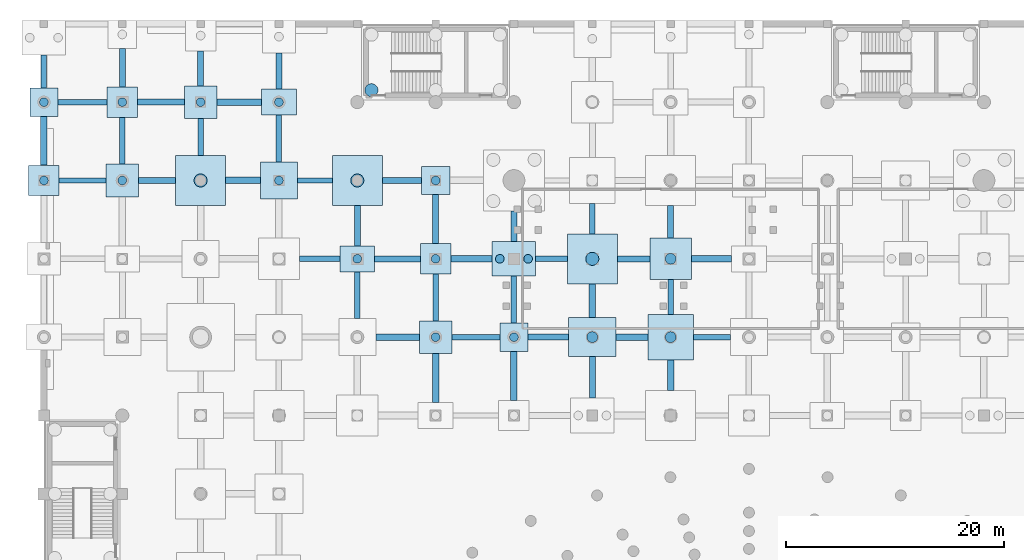
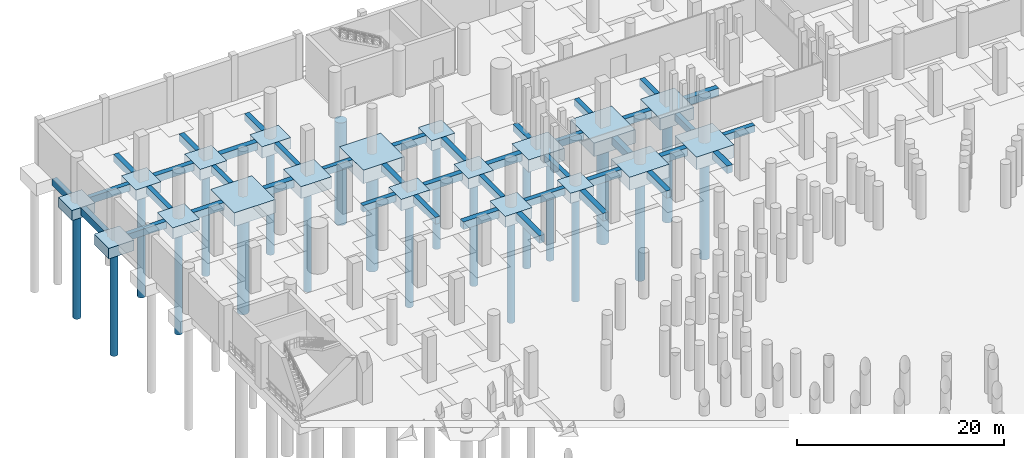
# One storey, part 8 of 37: 60 footings, 21 piles.
"""IFC4 building model written with IfcOpenShell, lengths in metres."""

from ifc_helpers import new_model, si_unit, direction, frame, origin, origin_2d, place, context, subcontext, project, spatial, rectangle, circle, extrude, material, material_profile, profile_set, type_object, element, save


model = new_model("IFC4")

# Units and contexts
model_context = context("Model", 3, precision=1e-05, world=origin(), true_north=direction((0.0, 1.0)))
body_context = subcontext(model_context, "Body", "Model", "MODEL_VIEW")
ifc_project = project(units=[si_unit("LENGTHUNIT", "METRE"), si_unit("AREAUNIT", "SQUARE_METRE"), si_unit("VOLUMEUNIT", "CUBIC_METRE"), si_unit("PLANEANGLEUNIT", "RADIAN"), si_unit("MASSUNIT", "GRAM", prefix="KILO")], contexts=[model_context])

# Site, building, storey
site_placement = place(None, origin())
site = spatial("IfcSite", under=ifc_project, at=site_placement, CompositionType="ELEMENT")
building_placement = place(site_placement, origin())
building = spatial("IfcBuilding", under=site, at=building_placement, Name="Qandorah Velis Arena", CompositionType="ELEMENT")
storey_placement = place(building_placement, frame((0.0, 0.0, -5.39990234375)))
storey = spatial("IfcBuildingStorey", under=building, at=storey_placement, Name="B1", CompositionType="ELEMENT", Elevation=-5.39990234375)

# Footings
ifc_material = material(Name="Concrete C40/50", Category="concrete")
footing_type_1 = type_object("IfcFootingType", Name="STR-CAP-PC10", PredefinedType="PILE_CAP", material=ifc_material)
for number, where, z_axis, x_axis, name in (
    (1, (0.0, 122.39990234375, -1.2001953125), (0.0, 0.0, 1.0), (1.0, 0.0, 0.0), "Pile cap CAP-B1-017"),
    (2, (36.0, 115.199951171875, -1.2001953125), (0.0, 0.0, 1.0), (1.0, 0.0, 0.0), "Pile cap CAP-B1-097"),
    (3, (43.199951171875, 100.800048828125, -1.2001953125), (0.0, 0.0, 1.0), (1.0, 0.0, 0.0), "Pile cap CAP-B1-107"),
):
    element("IfcFooting", number, at=place(storey_placement, frame(where, z_axis=z_axis, x_axis=x_axis)), inside=storey, type_object=footing_type_1, Name=name, PredefinedType="PILE_CAP", context=body_context, shape_type="SweptSolid", body=[
        extrude(rectangle(XDim=2.60009765625, YDim=2.60009765625, at=origin_2d()), origin(), (0.0, 0.0, 1.0), 1.199951171875),
    ])
footing_type_2 = type_object("IfcFootingType", Name="STR-CAP-PC14", PredefinedType="PILE_CAP", material=ifc_material)
footing_1_placement = place(storey_placement, frame((43.199951171875, 108.0, -1.4501953125), z_axis=(0.0, 0.0, 1.0), x_axis=(1.0, 0.0, 0.0)))
element("IfcFooting", 4, at=footing_1_placement, inside=storey, type_object=footing_type_2, Name="Pile cap CAP-B1-108", PredefinedType="PILE_CAP", context=body_context, shape_type="SweptSolid", body=[
    extrude(rectangle(XDim=4.0, YDim=3.199951171875, at=origin_2d()), origin(), (0.0, 0.0, 1.0), 1.449951171875),
])
footing_type_3 = type_object("IfcFootingType", Name="STR-CAP-PC15", PredefinedType="PILE_CAP", material=ifc_material)
footing_2_placement = place(storey_placement, frame((50.39990234375, 100.800048828125, -1.55029296875), z_axis=(0.0, 0.0, 1.0), x_axis=(1.0, 0.0, 0.0)))
element("IfcFooting", 5, at=footing_2_placement, inside=storey, type_object=footing_type_3, Name="Pile cap CAP-B1-119", PredefinedType="PILE_CAP", context=body_context, shape_type="SweptSolid", body=[
    extrude(rectangle(XDim=4.39990234375, YDim=3.60009765625, at=origin_2d()), origin(), (0.0, 0.0, 1.0), 1.550048828125),
])
footing_type_4 = type_object("IfcFootingType", Name="STR-CAP-PC3", PredefinedType="PILE_CAP", material=ifc_material)
for number, where, z_axis, x_axis, name in (
    (6, (14.39990234375, 115.199951171875, -1.60009765625), (0.0, 0.0, 1.0), (1.0, 0.0, 0.0), "Pile cap CAP-B1-054"),
    (7, (28.800048828125, 115.199951171875, -1.60009765625), (0.0, 0.0, 1.0), (1.0, 0.0, 0.0), "Pile cap CAP-B1-085"),
    (8, (50.39990234375, 108.0, -1.60009765625), (0.0, 0.0, 1.0), (1.0, 0.0, 0.0), "Pile cap CAP-B1-120"),
):
    element("IfcFooting", number, at=place(storey_placement, frame(where, z_axis=z_axis, x_axis=x_axis)), inside=storey, type_object=footing_type_4, Name=name, PredefinedType="PILE_CAP", context=body_context, shape_type="SweptSolid", body=[
        extrude(rectangle(XDim=4.60009765625, YDim=4.60009765625, at=origin_2d()), origin(), (0.0, 0.0, 1.0), 1.60009765625),
    ])
footing_type_5 = type_object("IfcFootingType", Name="STR-CAP-PC4", PredefinedType="PILE_CAP", material=ifc_material)
footing_3_placement = place(storey_placement, frame((57.60009765625, 100.800048828125, -1.5), z_axis=(0.0, 0.0, 1.0), x_axis=(1.0, 0.0, 0.0)))
element("IfcFooting", 9, at=footing_3_placement, inside=storey, type_object=footing_type_5, Name="Pile cap CAP-B1-131", PredefinedType="PILE_CAP", context=body_context, shape_type="SweptSolid", body=[
    extrude(rectangle(XDim=4.199951171875, YDim=4.199951171875, at=origin_2d()), origin(), (0.0, 0.0, 1.0), 1.5),
])
footing_type_6 = type_object("IfcFootingType", Name="STR-CAP-PC5", PredefinedType="PILE_CAP", material=ifc_material)
footing_4_placement = place(storey_placement, frame((57.60009765625, 108.0, -1.400146484375), z_axis=(0.0, 0.0, 1.0), x_axis=(1.0, 0.0, 0.0)))
element("IfcFooting", 10, at=footing_4_placement, inside=storey, type_object=footing_type_6, Name="Pile cap CAP-B1-132", PredefinedType="PILE_CAP", context=body_context, shape_type="SweptSolid", body=[
    extrude(rectangle(XDim=3.800048828125, YDim=3.800048828125, at=origin_2d()), origin(), (0.0, 0.0, 1.0), 1.39990234375),
])
footing_type_7 = type_object("IfcFootingType", Name="STR-CAP-PC6", PredefinedType="PILE_CAP", material=ifc_material)
footing_5_placement = place(storey_placement, frame((21.60009765625, 115.199951171875, -1.400146484375), z_axis=(0.0, 0.0, 1.0), x_axis=(1.0, 0.0, 0.0)))
element("IfcFooting", 11, at=footing_5_placement, inside=storey, type_object=footing_type_7, Name="Pile cap CAP-B1-073", PredefinedType="PILE_CAP", context=body_context, shape_type="SweptSolid", body=[
    extrude(rectangle(XDim=3.39990234375, YDim=3.39990234375, at=origin_2d()), origin(), (0.0, 0.0, 1.0), 1.39990234375),
])
footing_type_8 = type_object("IfcFootingType", Name="STR-CAP-PC7", PredefinedType="PILE_CAP", material=ifc_material)
for number, where, z_axis, x_axis, name in (
    (12, (21.60009765625, 122.39990234375, -1.35009765625), (0.0, 0.0, 1.0), (1.0, 0.0, 0.0), "Pile cap CAP-B1-074"),
    (13, (28.800048828125, 108.0, -1.35009765625), (0.0, 0.0, 1.0), (1.0, 0.0, 0.0), "Pile cap CAP-B1-084"),
):
    element("IfcFooting", number, at=place(storey_placement, frame(where, z_axis=z_axis, x_axis=x_axis)), inside=storey, type_object=footing_type_8, Name=name, PredefinedType="PILE_CAP", context=body_context, shape_type="SweptSolid", body=[
        extrude(rectangle(XDim=3.199951171875, YDim=2.39990234375, at=origin_2d()), origin(), (0.0, 0.0, 1.0), 1.35009765625),
    ])
footing_type_9 = type_object("IfcFootingType", Name="STR-CAP-PC8", PredefinedType="PILE_CAP", material=ifc_material)
for number, where, z_axis, x_axis, name in (
    (14, (7.199951171875, 115.199951171875, -1.30029296875), (0.0, 0.0, 1.0), (1.0, 0.0, 0.0), "Pile cap CAP-B1-035"),
    (15, (14.39990234375, 122.39990234375, -1.30029296875), (0.0, 0.0, 1.0), (1.0, 0.0, 0.0), "Pile cap CAP-B1-055"),
    (16, (36.0, 100.800048828125, -1.30029296875), (0.0, 0.0, 1.0), (1.0, 0.0, 0.0), "Pile cap CAP-B1-095"),
):
    element("IfcFooting", number, at=place(storey_placement, frame(where, z_axis=z_axis, x_axis=x_axis)), inside=storey, type_object=footing_type_9, Name=name, PredefinedType="PILE_CAP", context=body_context, shape_type="SweptSolid", body=[
        extrude(rectangle(XDim=3.0, YDim=3.0, at=origin_2d()), origin(), (0.0, 0.0, 1.0), 1.300048828125),
    ])
footing_type_10 = type_object("IfcFootingType", Name="STR-CAP-PC9", PredefinedType="PILE_CAP", material=ifc_material)
for number, where, z_axis, x_axis, name in (
    (17, (0.0, 115.199951171875, -1.25), (0.0, 0.0, 1.0), (1.0, 0.0, 0.0), "Pile cap CAP-B1-016"),
    (18, (7.199951171875, 122.39990234375, -1.25), (0.0, 0.0, 1.0), (1.0, 0.0, 0.0), "Pile cap CAP-B1-036"),
    (19, (36.0, 108.0, -1.25), (0.0, 0.0, 1.0), (1.0, 0.0, 0.0), "Pile cap CAP-B1-096"),
):
    element("IfcFooting", number, at=place(storey_placement, frame(where, z_axis=z_axis, x_axis=x_axis)), inside=storey, type_object=footing_type_10, Name=name, PredefinedType="PILE_CAP", context=body_context, shape_type="SweptSolid", body=[
        extrude(rectangle(XDim=2.800048828125, YDim=2.800048828125, at=origin_2d()), origin(), (0.0, 0.0, 1.0), 1.25),
    ])
ifc_material_profile_1 = material_profile(ifc_material, rectangle(XDim=0.60009765625, YDim=0.89990234375, at=origin_2d()), Name="GB1 600x900")
ifc_profile_set_1 = profile_set([ifc_material_profile_1], Name="Concrete C40/50")
footing_type_11 = type_object("IfcFootingType", Name="STR-GB-FB1", PredefinedType="FOOTING_BEAM", material=ifc_profile_set_1)
for number, where, z_axis, x_axis, name in (
    (20, (0.0, 116.60009765625, -0.4501953125), (0.0, 1.0, 0.0), (-1.0, 0.0, 0.0), "Ground tie beam GB-009"),
    (21, (36.0, 94.800048828125, -0.4501953125), (0.0, 1.0, 0.0), (-1.0, 0.0, 0.0), "Ground tie beam GB-066"),
    (22, (43.199951171875, 95.0, -0.4501953125), (0.0, 1.0, 0.0), (-1.0, 0.0, 0.0), "Ground tie beam GB-072"),
):
    element("IfcFooting", number, at=place(storey_placement, frame(where, z_axis=z_axis, x_axis=x_axis)), inside=storey, type_object=footing_type_11, Name=name, PredefinedType="FOOTING_BEAM", context=body_context, shape_type="SweptSolid", body=[
        extrude(rectangle(XDim=0.60009765625, YDim=0.89990234375, at=origin_2d()), origin(), (0.0, 0.0, 1.0), 4.5),
    ])
footing_6_placement = place(storey_placement, frame((50.39990234375, 102.60009765625, -0.4501953125), z_axis=(0.0, 1.0, 0.0), x_axis=(-1.0, 0.0, 0.0)))
element("IfcFooting", 23, at=footing_6_placement, inside=storey, type_object=footing_type_11, Name="Ground tie beam GB-081", PredefinedType="FOOTING_BEAM", context=body_context, shape_type="SweptSolid", body=[
    extrude(rectangle(XDim=0.60009765625, YDim=0.89990234375, at=origin_2d()), origin(), (0.0, 0.0, 1.0), 3.099853515625),
])
footing_7_placement = place(storey_placement, frame((57.60009765625, 95.89990234375, -0.4501953125), z_axis=(0.0, 1.0, 0.0), x_axis=(-1.0, 0.0, 0.0)))
element("IfcFooting", 24, at=footing_7_placement, inside=storey, type_object=footing_type_11, Name="Ground tie beam GB-090", PredefinedType="FOOTING_BEAM", context=body_context, shape_type="SweptSolid", body=[
    extrude(rectangle(XDim=0.60009765625, YDim=0.89990234375, at=origin_2d()), origin(), (0.0, 0.0, 1.0), 2.800048828125),
])
footing_8_placement = place(storey_placement, frame((30.5, 100.800048828125, -0.4501953125), z_axis=(1.0, 0.0, 0.0), x_axis=(0.0, 1.0, 0.0)))
element("IfcFooting", 25, at=footing_8_placement, inside=storey, type_object=footing_type_11, Name="Ground tie beam GB-450", PredefinedType="FOOTING_BEAM", context=body_context, shape_type="SweptSolid", body=[
    extrude(rectangle(XDim=0.60009765625, YDim=0.89990234375, at=origin_2d()), origin(), (0.0, 0.0, 1.0), 4.0),
])
footing_9_placement = place(storey_placement, frame((52.60009765625, 100.800048828125, -0.4501953125), z_axis=(1.0, 0.0, 0.0), x_axis=(0.0, 1.0, 0.0)))
element("IfcFooting", 26, at=footing_9_placement, inside=storey, type_object=footing_type_11, Name="Ground tie beam GB-453", PredefinedType="FOOTING_BEAM", context=body_context, shape_type="SweptSolid", body=[
    extrude(rectangle(XDim=0.60009765625, YDim=0.89990234375, at=origin_2d()), origin(), (0.0, 0.0, 1.0), 2.89990234375),
])
footing_10_placement = place(storey_placement, frame((37.39990234375, 108.0, -0.4501953125), z_axis=(1.0, 0.0, 0.0), x_axis=(0.0, 1.0, 0.0)))
element("IfcFooting", 27, at=footing_10_placement, inside=storey, type_object=footing_type_11, Name="Ground tie beam GB-474", PredefinedType="FOOTING_BEAM", context=body_context, shape_type="SweptSolid", body=[
    extrude(rectangle(XDim=0.60009765625, YDim=0.89990234375, at=origin_2d()), origin(), (0.0, 0.0, 1.0), 3.800048828125),
])
footing_11_placement = place(storey_placement, frame((59.5, 108.0, -0.4501953125), z_axis=(1.0, 0.0, 0.0), x_axis=(0.0, 1.0, 0.0)))
element("IfcFooting", 28, at=footing_11_placement, inside=storey, type_object=footing_type_11, Name="Ground tie beam GB-477", PredefinedType="FOOTING_BEAM", context=body_context, shape_type="SweptSolid", body=[
    extrude(rectangle(XDim=0.60009765625, YDim=0.89990234375, at=origin_2d()), origin(), (0.0, 0.0, 1.0), 3.699951171875),
])
footing_12_placement = place(storey_placement, frame((16.699951171875, 115.199951171875, -0.4501953125), z_axis=(1.0, 0.0, 0.0), x_axis=(0.0, 1.0, 0.0)))
element("IfcFooting", 29, at=footing_12_placement, inside=storey, type_object=footing_type_11, Name="Ground tie beam GB-492", PredefinedType="FOOTING_BEAM", context=body_context, shape_type="SweptSolid", body=[
    extrude(rectangle(XDim=0.60009765625, YDim=0.89990234375, at=origin_2d()), origin(), (0.0, 0.0, 1.0), 3.199951171875),
])
footing_13_placement = place(storey_placement, frame((15.89990234375, 122.39990234375, -0.4501953125), z_axis=(1.0, 0.0, 0.0), x_axis=(0.0, 1.0, 0.0)))
element("IfcFooting", 30, at=footing_13_placement, inside=storey, type_object=footing_type_11, Name="Ground tie beam GB-516", PredefinedType="FOOTING_BEAM", context=body_context, shape_type="SweptSolid", body=[
    extrude(rectangle(XDim=0.60009765625, YDim=0.89990234375, at=origin_2d()), origin(), (0.0, 0.0, 1.0), 4.10009765625),
])
ifc_material_profile_2 = material_profile(ifc_material, rectangle(XDim=0.5, YDim=0.800048828125, at=origin_2d()), Name="GB2 500x800")
ifc_profile_set_2 = profile_set([ifc_material_profile_2], Name="Concrete C40/50")
footing_type_12 = type_object("IfcFootingType", Name="STR-GB-FB2", PredefinedType="FOOTING_BEAM", material=ifc_profile_set_2)
footing_14_placement = place(storey_placement, frame((0.0, 123.699951171875, -0.400146484375), z_axis=(0.0, 1.0, 0.0), x_axis=(-1.0, 0.0, 0.0)))
element("IfcFooting", 31, at=footing_14_placement, inside=storey, type_object=footing_type_12, Name="Ground tie beam GB-010", PredefinedType="FOOTING_BEAM", context=body_context, shape_type="SweptSolid", body=[
    extrude(rectangle(XDim=0.5, YDim=0.800048828125, at=origin_2d()), origin(), (0.0, 0.0, 1.0), 3.02001953125),
])
footing_15_placement = place(storey_placement, frame((7.199951171875, 116.699951171875, -0.400146484375), z_axis=(0.0, 1.0, 0.0), x_axis=(-1.0, 0.0, 0.0)))
element("IfcFooting", 32, at=footing_15_placement, inside=storey, type_object=footing_type_12, Name="Ground tie beam GB-019", PredefinedType="FOOTING_BEAM", context=body_context, shape_type="SweptSolid", body=[
    extrude(rectangle(XDim=0.5, YDim=0.800048828125, at=origin_2d()), origin(), (0.0, 0.0, 1.0), 4.300048828125),
])
footing_16_placement = place(storey_placement, frame((14.39990234375, 117.5, -0.400146484375), z_axis=(0.0, 1.0, 0.0), x_axis=(-1.0, 0.0, 0.0)))
element("IfcFooting", 33, at=footing_16_placement, inside=storey, type_object=footing_type_12, Name="Ground tie beam GB-037", PredefinedType="FOOTING_BEAM", context=body_context, shape_type="SweptSolid", body=[
    extrude(rectangle(XDim=0.5, YDim=0.800048828125, at=origin_2d()), origin(), (0.0, 0.0, 1.0), 3.39990234375),
])
for number, where, z_axis, x_axis, name in (
    (34, (21.60009765625, 116.89990234375, -0.400146484375), (0.0, 1.0, 0.0), (-1.0, 0.0, 0.0), "Ground tie beam GB-055"),
    (35, (28.800048828125, 102.5, -0.400146484375), (0.0, 1.0, 0.0), (-1.0, 0.0, 0.0), "Ground tie beam GB-061"),
    (36, (36.0, 102.300048828125, -0.400146484375), (0.0, 1.0, 0.0), (-1.0, 0.0, 0.0), "Ground tie beam GB-067"),
):
    element("IfcFooting", number, at=place(storey_placement, frame(where, z_axis=z_axis, x_axis=x_axis)), inside=storey, type_object=footing_type_12, Name=name, PredefinedType="FOOTING_BEAM", context=body_context, shape_type="SweptSolid", body=[
        extrude(rectangle(XDim=0.5, YDim=0.800048828125, at=origin_2d()), origin(), (0.0, 0.0, 1.0), 4.300048828125),
    ])
footing_17_placement = place(storey_placement, frame((43.199951171875, 102.10009765625, -0.400146484375), z_axis=(0.0, 1.0, 0.0), x_axis=(-1.0, 0.0, 0.0)))
element("IfcFooting", 37, at=footing_17_placement, inside=storey, type_object=footing_type_12, Name="Ground tie beam GB-073", PredefinedType="FOOTING_BEAM", context=body_context, shape_type="SweptSolid", body=[
    extrude(rectangle(XDim=0.5, YDim=0.800048828125, at=origin_2d()), origin(), (0.0, 0.0, 1.0), 4.2998046875),
])
footing_18_placement = place(storey_placement, frame((50.39990234375, 110.300048828125, -0.400146484375), z_axis=(0.0, 1.0, 0.0), x_axis=(-1.0, 0.0, 0.0)))
element("IfcFooting", 38, at=footing_18_placement, inside=storey, type_object=footing_type_12, Name="Ground tie beam GB-082", PredefinedType="FOOTING_BEAM", context=body_context, shape_type="SweptSolid", body=[
    extrude(rectangle(XDim=0.5, YDim=0.800048828125, at=origin_2d()), origin(), (0.0, 0.0, 1.0), 2.800048828125),
])
footing_19_placement = place(storey_placement, frame((57.60009765625, 102.89990234375, -0.400146484375), z_axis=(0.0, 1.0, 0.0), x_axis=(-1.0, 0.0, 0.0)))
element("IfcFooting", 39, at=footing_19_placement, inside=storey, type_object=footing_type_12, Name="Ground tie beam GB-091", PredefinedType="FOOTING_BEAM", context=body_context, shape_type="SweptSolid", body=[
    extrude(rectangle(XDim=0.5, YDim=0.800048828125, at=origin_2d()), origin(), (0.0, 0.0, 1.0), 3.2001953125),
])
footing_20_placement = place(storey_placement, frame((37.5, 100.800048828125, -0.400146484375), z_axis=(1.0, 0.0, 0.0), x_axis=(0.0, 1.0, 0.0)))
element("IfcFooting", 40, at=footing_20_placement, inside=storey, type_object=footing_type_12, Name="Ground tie beam GB-451", PredefinedType="FOOTING_BEAM", context=body_context, shape_type="SweptSolid", body=[
    extrude(rectangle(XDim=0.5, YDim=0.800048828125, at=origin_2d()), origin(), (0.0, 0.0, 1.0), 4.39990234375),
])
footing_21_placement = place(storey_placement, frame((59.699951171875, 100.800048828125, -0.400146484375), z_axis=(1.0, 0.0, 0.0), x_axis=(0.0, 1.0, 0.0)))
element("IfcFooting", 41, at=footing_21_placement, inside=storey, type_object=footing_type_12, Name="Ground tie beam GB-454", PredefinedType="FOOTING_BEAM", context=body_context, shape_type="SweptSolid", body=[
    extrude(rectangle(XDim=0.5, YDim=0.800048828125, at=origin_2d()), origin(), (0.0, 0.0, 1.0), 3.400146484375),
])
footing_22_placement = place(storey_placement, frame((23.5, 108.0, -0.400146484375), z_axis=(1.0, 0.0, 0.0), x_axis=(0.0, 1.0, 0.0)))
element("IfcFooting", 42, at=footing_22_placement, inside=storey, type_object=footing_type_12, Name="Ground tie beam GB-472", PredefinedType="FOOTING_BEAM", context=body_context, shape_type="SweptSolid", body=[
    extrude(rectangle(XDim=0.5, YDim=0.800048828125, at=origin_2d()), origin(), (0.0, 0.0, 1.0), 3.699951171875),
])
footing_23_placement = place(storey_placement, frame((45.199951171875, 108.0, -0.400146484375), z_axis=(1.0, 0.0, 0.0), x_axis=(0.0, 1.0, 0.0)))
element("IfcFooting", 43, at=footing_23_placement, inside=storey, type_object=footing_type_12, Name="Ground tie beam GB-475", PredefinedType="FOOTING_BEAM", context=body_context, shape_type="SweptSolid", body=[
    extrude(rectangle(XDim=0.5, YDim=0.800048828125, at=origin_2d()), origin(), (0.0, 0.0, 1.0), 2.900146484375),
])
footing_24_placement = place(storey_placement, frame((1.39990234375, 115.199951171875, -0.400146484375), z_axis=(1.0, 0.0, 0.0), x_axis=(0.0, 1.0, 0.0)))
element("IfcFooting", 44, at=footing_24_placement, inside=storey, type_object=footing_type_12, Name="Ground tie beam GB-490", PredefinedType="FOOTING_BEAM", context=body_context, shape_type="SweptSolid", body=[
    extrude(rectangle(XDim=0.5, YDim=0.800048828125, at=origin_2d()), origin(), (0.0, 0.0, 1.0), 4.300048828125),
])
footing_25_placement = place(storey_placement, frame((23.300048828125, 115.199951171875, -0.400146484375), z_axis=(1.0, 0.0, 0.0), x_axis=(0.0, 1.0, 0.0)))
element("IfcFooting", 45, at=footing_25_placement, inside=storey, type_object=footing_type_12, Name="Ground tie beam GB-493", PredefinedType="FOOTING_BEAM", context=body_context, shape_type="SweptSolid", body=[
    extrude(rectangle(XDim=0.5, YDim=0.800048828125, at=origin_2d()), origin(), (0.0, 0.0, 1.0), 3.199951171875),
])
footing_26_placement = place(storey_placement, frame((1.300048828125, 122.39990234375, -0.400146484375), z_axis=(1.0, 0.0, 0.0), x_axis=(0.0, 1.0, 0.0)))
element("IfcFooting", 46, at=footing_26_placement, inside=storey, type_object=footing_type_12, Name="Ground tie beam GB-514", PredefinedType="FOOTING_BEAM", context=body_context, shape_type="SweptSolid", body=[
    extrude(rectangle(XDim=0.5, YDim=0.800048828125, at=origin_2d()), origin(), (0.0, 0.0, 1.0), 4.5),
])
ifc_material_profile_3 = material_profile(ifc_material, rectangle(XDim=0.550048828125, YDim=0.85009765625, at=origin_2d()), Name="GB3 550x850")
ifc_profile_set_3 = profile_set([ifc_material_profile_3], Name="Concrete C40/50")
footing_type_13 = type_object("IfcFootingType", Name="STR-GB-FB3", PredefinedType="FOOTING_BEAM", material=ifc_profile_set_3)
footing_27_placement = place(storey_placement, frame((7.199951171875, 123.800048828125, -0.425048828125), z_axis=(0.0, 1.0, 0.0), x_axis=(-1.0, 0.0, 0.0)))
element("IfcFooting", 47, at=footing_27_placement, inside=storey, type_object=footing_type_13, Name="Ground tie beam GB-020", PredefinedType="FOOTING_BEAM", context=body_context, shape_type="SweptSolid", body=[
    extrude(rectangle(XDim=0.550048828125, YDim=0.85009765625, at=origin_2d()), origin(), (0.0, 0.0, 1.0), 3.52001953125),
])
footing_28_placement = place(storey_placement, frame((14.39990234375, 123.89990234375, -0.425048828125), z_axis=(0.0, 1.0, 0.0), x_axis=(-1.0, 0.0, 0.0)))
element("IfcFooting", 48, at=footing_28_placement, inside=storey, type_object=footing_type_13, Name="Ground tie beam GB-038", PredefinedType="FOOTING_BEAM", context=body_context, shape_type="SweptSolid", body=[
    extrude(rectangle(XDim=0.550048828125, YDim=0.85009765625, at=origin_2d()), origin(), (0.0, 0.0, 1.0), 3.22021484375),
])
footing_29_placement = place(storey_placement, frame((21.60009765625, 123.60009765625, -0.425048828125), z_axis=(0.0, 1.0, 0.0), x_axis=(-1.0, 0.0, 0.0)))
element("IfcFooting", 49, at=footing_29_placement, inside=storey, type_object=footing_type_13, Name="Ground tie beam GB-056", PredefinedType="FOOTING_BEAM", context=body_context, shape_type="SweptSolid", body=[
    extrude(rectangle(XDim=0.550048828125, YDim=0.85009765625, at=origin_2d()), origin(), (0.0, 0.0, 1.0), 3.31982421875),
])
footing_30_placement = place(storey_placement, frame((28.800048828125, 109.199951171875, -0.425048828125), z_axis=(0.0, 1.0, 0.0), x_axis=(-1.0, 0.0, 0.0)))
element("IfcFooting", 50, at=footing_30_placement, inside=storey, type_object=footing_type_13, Name="Ground tie beam GB-062", PredefinedType="FOOTING_BEAM", context=body_context, shape_type="SweptSolid", body=[
    extrude(rectangle(XDim=0.550048828125, YDim=0.85009765625, at=origin_2d()), origin(), (0.0, 0.0, 1.0), 3.699951171875),
])
footing_31_placement = place(storey_placement, frame((36.0, 109.39990234375, -0.425048828125), z_axis=(0.0, 1.0, 0.0), x_axis=(-1.0, 0.0, 0.0)))
element("IfcFooting", 51, at=footing_31_placement, inside=storey, type_object=footing_type_13, Name="Ground tie beam GB-068", PredefinedType="FOOTING_BEAM", context=body_context, shape_type="SweptSolid", body=[
    extrude(rectangle(XDim=0.550048828125, YDim=0.85009765625, at=origin_2d()), origin(), (0.0, 0.0, 1.0), 4.5),
])
footing_32_placement = place(storey_placement, frame((43.199951171875, 109.60009765625, -0.425048828125), z_axis=(0.0, 1.0, 0.0), x_axis=(-1.0, 0.0, 0.0)))
element("IfcFooting", 52, at=footing_32_placement, inside=storey, type_object=footing_type_13, Name="Ground tie beam GB-074", PredefinedType="FOOTING_BEAM", context=body_context, shape_type="SweptSolid", body=[
    extrude(rectangle(XDim=0.550048828125, YDim=0.85009765625, at=origin_2d()), origin(), (0.0, 0.0, 1.0), 2.7998046875),
])
footing_33_placement = place(storey_placement, frame((50.39990234375, 95.199951171875, -0.425048828125), z_axis=(0.0, 1.0, 0.0), x_axis=(-1.0, 0.0, 0.0)))
element("IfcFooting", 53, at=footing_33_placement, inside=storey, type_object=footing_type_13, Name="Ground tie beam GB-080", PredefinedType="FOOTING_BEAM", context=body_context, shape_type="SweptSolid", body=[
    extrude(rectangle(XDim=0.550048828125, YDim=0.85009765625, at=origin_2d()), origin(), (0.0, 0.0, 1.0), 3.800048828125),
])
footing_34_placement = place(storey_placement, frame((57.60009765625, 109.89990234375, -0.425048828125), z_axis=(0.0, 1.0, 0.0), x_axis=(-1.0, 0.0, 0.0)))
element("IfcFooting", 54, at=footing_34_placement, inside=storey, type_object=footing_type_13, Name="Ground tie beam GB-092", PredefinedType="FOOTING_BEAM", context=body_context, shape_type="SweptSolid", body=[
    extrude(rectangle(XDim=0.550048828125, YDim=0.85009765625, at=origin_2d()), origin(), (0.0, 0.0, 1.0), 3.0),
])
footing_35_placement = place(storey_placement, frame((44.5, 100.800048828125, -0.425048828125), z_axis=(1.0, 0.0, 0.0), x_axis=(0.0, 1.0, 0.0)))
element("IfcFooting", 55, at=footing_35_placement, inside=storey, type_object=footing_type_13, Name="Ground tie beam GB-452", PredefinedType="FOOTING_BEAM", context=body_context, shape_type="SweptSolid", body=[
    extrude(rectangle(XDim=0.550048828125, YDim=0.85009765625, at=origin_2d()), origin(), (0.0, 0.0, 1.0), 3.699951171875),
])
footing_36_placement = place(storey_placement, frame((30.39990234375, 108.0, -0.425048828125), z_axis=(1.0, 0.0, 0.0), x_axis=(0.0, 1.0, 0.0)))
element("IfcFooting", 56, at=footing_36_placement, inside=storey, type_object=footing_type_13, Name="Ground tie beam GB-473", PredefinedType="FOOTING_BEAM", context=body_context, shape_type="SweptSolid", body=[
    extrude(rectangle(XDim=0.550048828125, YDim=0.85009765625, at=origin_2d()), origin(), (0.0, 0.0, 1.0), 4.2001953125),
])
footing_37_placement = place(storey_placement, frame((52.699951171875, 108.0, -0.425048828125), z_axis=(1.0, 0.0, 0.0), x_axis=(0.0, 1.0, 0.0)))
element("IfcFooting", 57, at=footing_37_placement, inside=storey, type_object=footing_type_13, Name="Ground tie beam GB-476", PredefinedType="FOOTING_BEAM", context=body_context, shape_type="SweptSolid", body=[
    extrude(rectangle(XDim=0.550048828125, YDim=0.85009765625, at=origin_2d()), origin(), (0.0, 0.0, 1.0), 3.0),
])
footing_38_placement = place(storey_placement, frame((8.699951171875, 115.199951171875, -0.425048828125), z_axis=(1.0, 0.0, 0.0), x_axis=(0.0, 1.0, 0.0)))
element("IfcFooting", 58, at=footing_38_placement, inside=storey, type_object=footing_type_13, Name="Ground tie beam GB-491", PredefinedType="FOOTING_BEAM", context=body_context, shape_type="SweptSolid", body=[
    extrude(rectangle(XDim=0.550048828125, YDim=0.85009765625, at=origin_2d()), origin(), (0.0, 0.0, 1.0), 3.400146484375),
])
footing_39_placement = place(storey_placement, frame((31.10009765625, 115.199951171875, -0.425048828125), z_axis=(1.0, 0.0, 0.0), x_axis=(0.0, 1.0, 0.0)))
element("IfcFooting", 59, at=footing_39_placement, inside=storey, type_object=footing_type_13, Name="Ground tie beam GB-494", PredefinedType="FOOTING_BEAM", context=body_context, shape_type="SweptSolid", body=[
    extrude(rectangle(XDim=0.550048828125, YDim=0.85009765625, at=origin_2d()), origin(), (0.0, 0.0, 1.0), 3.599853515625),
])
footing_40_placement = place(storey_placement, frame((8.60009765625, 122.39990234375, -0.425048828125), z_axis=(1.0, 0.0, 0.0), x_axis=(0.0, 1.0, 0.0)))
element("IfcFooting", 60, at=footing_40_placement, inside=storey, type_object=footing_type_13, Name="Ground tie beam GB-515", PredefinedType="FOOTING_BEAM", context=body_context, shape_type="SweptSolid", body=[
    extrude(rectangle(XDim=0.550048828125, YDim=0.85009765625, at=origin_2d()), origin(), (0.0, 0.0, 1.0), 4.2998046875),
])

# Piles
ifc_material_profile_4 = material_profile(ifc_material, circle(Radius=0.5, at=origin_2d()), Name="BORED PILE D1000")
ifc_profile_set_4 = profile_set([ifc_material_profile_4], Name="Concrete C40/50")
pile_type_1 = type_object("IfcPileType", Name="STR-PILE-BP1000", PredefinedType="BORED", material=ifc_profile_set_4)
pile_1_placement = place(storey_placement, frame((50.39990234375, 100.800048828125, -1.4501953125), z_axis=(0.0, 0.0, -1.0), x_axis=(1.0, 0.0, 0.0)))
element("IfcPile", 61, at=pile_1_placement, inside=storey, type_object=pile_type_1, Name="Bored pile PILE-CAP-B1-119-11", PredefinedType="BORED", context=body_context, shape_type="SweptSolid", body=[
    extrude(circle(Radius=0.5, at=origin_2d()), origin(), (0.0, 0.0, 1.0), 12.35009765625),
])
pile_2_placement = place(storey_placement, frame((57.60009765625, 100.800048828125, -1.400146484375), z_axis=(0.0, 0.0, -1.0), x_axis=(1.0, 0.0, 0.0)))
element("IfcPile", 62, at=pile_2_placement, inside=storey, type_object=pile_type_1, Name="Bored pile PILE-CAP-B1-131-11", PredefinedType="BORED", context=body_context, shape_type="SweptSolid", body=[
    extrude(circle(Radius=0.5, at=origin_2d()), origin(), (0.0, 0.0, 1.0), 12.39990234375),
])
pile_3_placement = place(storey_placement, frame((57.60009765625, 108.0, -1.300048828125), z_axis=(0.0, 0.0, -1.0), x_axis=(1.0, 0.0, 0.0)))
element("IfcPile", 63, at=pile_3_placement, inside=storey, type_object=pile_type_1, Name="Bored pile PILE-CAP-B1-132-11", PredefinedType="BORED", context=body_context, shape_type="SweptSolid", body=[
    extrude(circle(Radius=0.5, at=origin_2d()), origin(), (0.0, 0.0, 1.0), 12.5),
])
ifc_material_profile_5 = material_profile(ifc_material, circle(Radius=0.60009765625, at=origin_2d()), Name="BORED PILE D1200")
ifc_profile_set_5 = profile_set([ifc_material_profile_5], Name="Concrete C40/50")
pile_type_2 = type_object("IfcPileType", Name="STR-PILE-BP1200", PredefinedType="BORED", material=ifc_profile_set_5)
pile_4_placement = place(storey_placement, frame((30.10009765625, 123.5, -1.7001953125), z_axis=(0.0, 0.0, -1.0), x_axis=(1.0, 0.0, 0.0)))
element("IfcPile", 64, at=pile_4_placement, inside=storey, type_object=pile_type_2, Name="Bored pile PILE-CAP-CORE-CORE-03-11", PredefinedType="BORED", context=body_context, shape_type="SweptSolid", body=[
    extrude(circle(Radius=0.60009765625, at=origin_2d()), origin(), (0.0, 0.0, 1.0), 12.10009765625),
])
for number, where, z_axis, x_axis, name in (
    (65, (14.39990234375, 115.199951171875, -1.5), (0.0, 0.0, -1.0), (1.0, 0.0, 0.0), "Bored pile PILE-CAP-B1-054-11"),
    (66, (28.800048828125, 115.199951171875, -1.5), (0.0, 0.0, -1.0), (1.0, 0.0, 0.0), "Bored pile PILE-CAP-B1-085-11"),
    (67, (50.39990234375, 108.0, -1.5), (0.0, 0.0, -1.0), (1.0, 0.0, 0.0), "Bored pile PILE-CAP-B1-120-11"),
):
    element("IfcPile", number, at=place(storey_placement, frame(where, z_axis=z_axis, x_axis=x_axis)), inside=storey, type_object=pile_type_2, Name=name, PredefinedType="BORED", context=body_context, shape_type="SweptSolid", body=[
        extrude(circle(Radius=0.60009765625, at=origin_2d()), origin(), (0.0, 0.0, 1.0), 12.300048828125),
    ])
ifc_material_profile_6 = material_profile(ifc_material, circle(Radius=0.39990234375, at=origin_2d()), Name="BORED PILE D800")
ifc_profile_set_6 = profile_set([ifc_material_profile_6], Name="Concrete C40/50")
pile_type_3 = type_object("IfcPileType", Name="STR-PILE-BP800", PredefinedType="BORED", material=ifc_profile_set_6)
pile_5_placement = place(storey_placement, frame((0.0, 115.199951171875, -1.150146484375), z_axis=(0.0, 0.0, -1.0), x_axis=(1.0, 0.0, 0.0)))
element("IfcPile", 68, at=pile_5_placement, inside=storey, type_object=pile_type_3, Name="Bored pile PILE-CAP-B1-016-11", PredefinedType="BORED", context=body_context, shape_type="SweptSolid", body=[
    extrude(circle(Radius=0.39990234375, at=origin_2d()), origin(), (0.0, 0.0, 1.0), 12.64990234375),
])
pile_6_placement = place(storey_placement, frame((0.0, 122.39990234375, -1.10009765625), z_axis=(0.0, 0.0, -1.0), x_axis=(1.0, 0.0, 0.0)))
element("IfcPile", 69, at=pile_6_placement, inside=storey, type_object=pile_type_3, Name="Bored pile PILE-CAP-B1-017-11", PredefinedType="BORED", context=body_context, shape_type="SweptSolid", body=[
    extrude(circle(Radius=0.39990234375, at=origin_2d()), origin(), (0.0, 0.0, 1.0), 12.699951171875),
])
pile_7_placement = place(storey_placement, frame((7.199951171875, 115.199951171875, -1.2001953125), z_axis=(0.0, 0.0, -1.0), x_axis=(1.0, 0.0, 0.0)))
element("IfcPile", 70, at=pile_7_placement, inside=storey, type_object=pile_type_3, Name="Bored pile PILE-CAP-B1-035-11", PredefinedType="BORED", context=body_context, shape_type="SweptSolid", body=[
    extrude(circle(Radius=0.39990234375, at=origin_2d()), origin(), (0.0, 0.0, 1.0), 12.60009765625),
])
pile_8_placement = place(storey_placement, frame((7.199951171875, 122.39990234375, -1.150146484375), z_axis=(0.0, 0.0, -1.0), x_axis=(1.0, 0.0, 0.0)))
element("IfcPile", 71, at=pile_8_placement, inside=storey, type_object=pile_type_3, Name="Bored pile PILE-CAP-B1-036-11", PredefinedType="BORED", context=body_context, shape_type="SweptSolid", body=[
    extrude(circle(Radius=0.39990234375, at=origin_2d()), origin(), (0.0, 0.0, 1.0), 12.64990234375),
])
pile_9_placement = place(storey_placement, frame((14.39990234375, 122.39990234375, -1.2001953125), z_axis=(0.0, 0.0, -1.0), x_axis=(1.0, 0.0, 0.0)))
element("IfcPile", 72, at=pile_9_placement, inside=storey, type_object=pile_type_3, Name="Bored pile PILE-CAP-B1-055-11", PredefinedType="BORED", context=body_context, shape_type="SweptSolid", body=[
    extrude(circle(Radius=0.39990234375, at=origin_2d()), origin(), (0.0, 0.0, 1.0), 12.60009765625),
])
pile_10_placement = place(storey_placement, frame((21.60009765625, 115.199951171875, -1.300048828125), z_axis=(0.0, 0.0, -1.0), x_axis=(1.0, 0.0, 0.0)))
element("IfcPile", 73, at=pile_10_placement, inside=storey, type_object=pile_type_3, Name="Bored pile PILE-CAP-B1-073-11", PredefinedType="BORED", context=body_context, shape_type="SweptSolid", body=[
    extrude(circle(Radius=0.39990234375, at=origin_2d()), origin(), (0.0, 0.0, 1.0), 12.5),
])
for number, where, z_axis, x_axis, name in (
    (74, (21.60009765625, 122.39990234375, -1.25), (0.0, 0.0, -1.0), (1.0, 0.0, 0.0), "Bored pile PILE-CAP-B1-074-11"),
    (75, (28.800048828125, 108.0, -1.25), (0.0, 0.0, -1.0), (1.0, 0.0, 0.0), "Bored pile PILE-CAP-B1-084-11"),
):
    element("IfcPile", number, at=place(storey_placement, frame(where, z_axis=z_axis, x_axis=x_axis)), inside=storey, type_object=pile_type_3, Name=name, PredefinedType="BORED", context=body_context, shape_type="SweptSolid", body=[
        extrude(circle(Radius=0.39990234375, at=origin_2d()), origin(), (0.0, 0.0, 1.0), 12.550048828125),
    ])
pile_11_placement = place(storey_placement, frame((36.0, 100.800048828125, -1.2001953125), z_axis=(0.0, 0.0, -1.0), x_axis=(1.0, 0.0, 0.0)))
element("IfcPile", 76, at=pile_11_placement, inside=storey, type_object=pile_type_3, Name="Bored pile PILE-CAP-B1-095-11", PredefinedType="BORED", context=body_context, shape_type="SweptSolid", body=[
    extrude(circle(Radius=0.39990234375, at=origin_2d()), origin(), (0.0, 0.0, 1.0), 12.60009765625),
])
pile_12_placement = place(storey_placement, frame((36.0, 108.0, -1.150146484375), z_axis=(0.0, 0.0, -1.0), x_axis=(1.0, 0.0, 0.0)))
element("IfcPile", 77, at=pile_12_placement, inside=storey, type_object=pile_type_3, Name="Bored pile PILE-CAP-B1-096-11", PredefinedType="BORED", context=body_context, shape_type="SweptSolid", body=[
    extrude(circle(Radius=0.39990234375, at=origin_2d()), origin(), (0.0, 0.0, 1.0), 12.64990234375),
])
for number, where, z_axis, x_axis, name in (
    (78, (36.0, 115.199951171875, -1.10009765625), (0.0, 0.0, -1.0), (1.0, 0.0, 0.0), "Bored pile PILE-CAP-B1-097-11"),
    (79, (43.199951171875, 100.800048828125, -1.10009765625), (0.0, 0.0, -1.0), (1.0, 0.0, 0.0), "Bored pile PILE-CAP-B1-107-11"),
):
    element("IfcPile", number, at=place(storey_placement, frame(where, z_axis=z_axis, x_axis=x_axis)), inside=storey, type_object=pile_type_3, Name=name, PredefinedType="BORED", context=body_context, shape_type="SweptSolid", body=[
        extrude(circle(Radius=0.39990234375, at=origin_2d()), origin(), (0.0, 0.0, 1.0), 12.699951171875),
    ])
for number, where, z_axis, x_axis, name in (
    (80, (41.89990234375, 108.0, -1.35009765625), (0.0, 0.0, -1.0), (1.0, 0.0, 0.0), "Bored pile PILE-CAP-B1-108-11"),
    (81, (44.5, 108.0, -1.35009765625), (0.0, 0.0, -1.0), (1.0, 0.0, 0.0), "Bored pile PILE-CAP-B1-108-21"),
):
    element("IfcPile", number, at=place(storey_placement, frame(where, z_axis=z_axis, x_axis=x_axis)), inside=storey, type_object=pile_type_3, Name=name, PredefinedType="BORED", context=body_context, shape_type="SweptSolid", body=[
        extrude(circle(Radius=0.39990234375, at=origin_2d()), origin(), (0.0, 0.0, 1.0), 12.449951171875),
    ])

save(model, "model.ifc")
